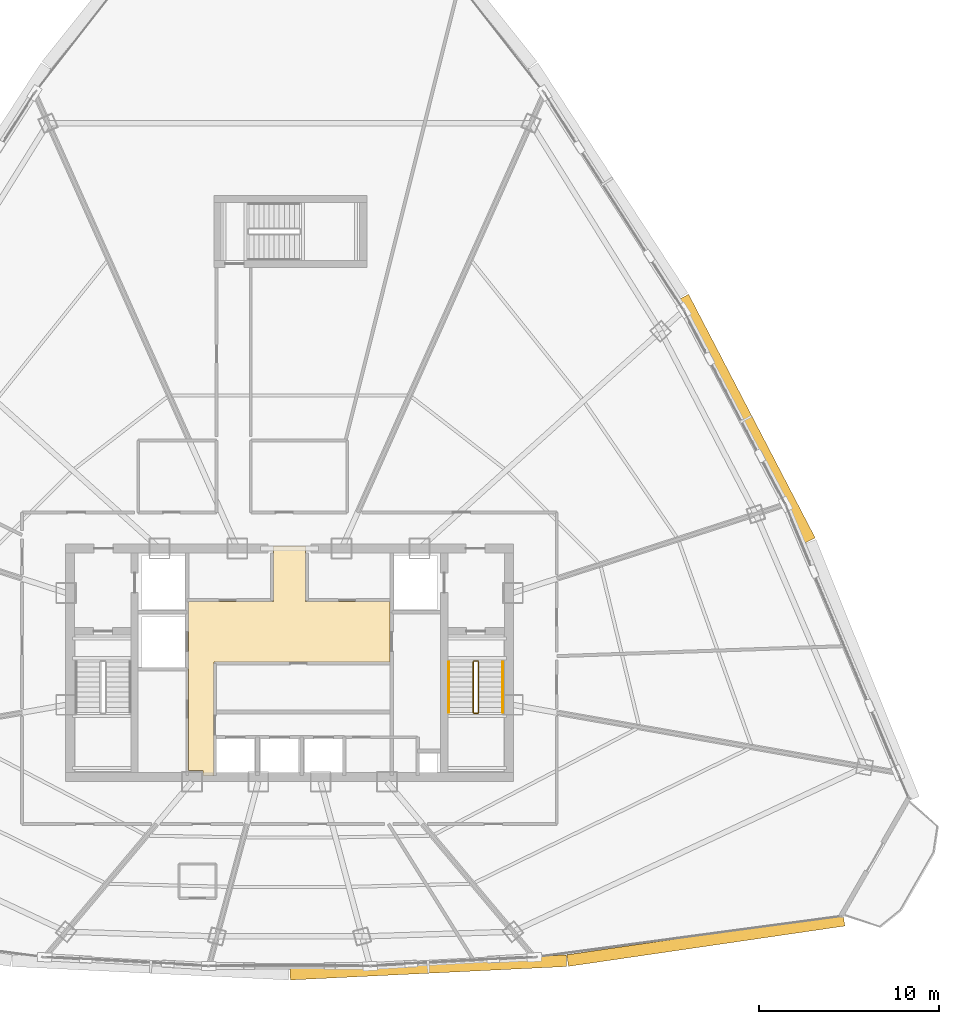
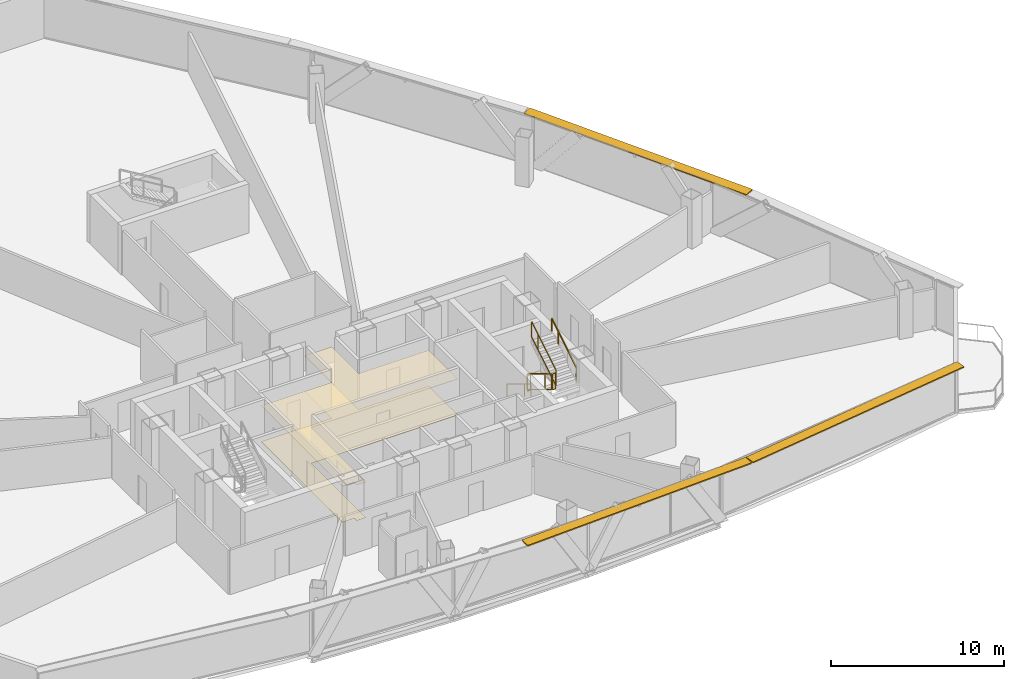
# One storey, part 35 of 37: 6 railings, 3 shading devices, 2 coverings.
"""IFC4 building model written with IfcOpenShell, lengths in metres."""

from ifc_helpers import new_model, si_unit, direction, frame, origin, origin_2d, place, context, subcontext, project, spatial, polyline, rectangle, outline, extrude, source, transform, mapped, material, layer, layer_set, type_object, element, save


model = new_model("IFC4")

# Units and contexts
model_context = context("Model", 3, precision=1e-05, world=origin(), true_north=direction((0.0, 1.0)))
body_context = subcontext(model_context, "Body", "Model", "MODEL_VIEW")
ifc_project = project(units=[si_unit("LENGTHUNIT", "METRE"), si_unit("AREAUNIT", "SQUARE_METRE"), si_unit("VOLUMEUNIT", "CUBIC_METRE"), si_unit("PLANEANGLEUNIT", "RADIAN"), si_unit("MASSUNIT", "GRAM", prefix="KILO"), si_unit("THERMODYNAMICTEMPERATUREUNIT", "KELVIN"), si_unit("POWERUNIT", "WATT")], contexts=[model_context])

# Site, building, storey
site_placement = place(None, origin())
site = spatial("IfcSite", under=ifc_project, at=site_placement, CompositionType="ELEMENT")
building_placement = place(site_placement, origin())
building = spatial("IfcBuilding", under=site, at=building_placement, Name="Yunzhuo Pagoda Commons", CompositionType="ELEMENT")
storey_placement = place(building_placement, frame((0.0, 0.0, 255.719970703125)))
storey = spatial("IfcBuildingStorey", under=building, at=storey_placement, Name="L64", CompositionType="ELEMENT", Elevation=255.719970703125)

# Coverings
ifc_material_1 = material(Name="Perforated gypsum acoustic ceiling tile")
ifc_layer_1 = layer(ifc_material_1, 0.030029296875)
ifc_layer_set_1 = layer_set([ifc_layer_1], Name="Perforated gypsum acoustic ceiling tile")
covering_type_1 = type_object("IfcCoveringType", Name="COV-CL2 Ceiling 30", PredefinedType="CEILING", material=ifc_layer_set_1)
covering_1_placement = place(storey_placement, frame((0.0, 0.0, 2.52001953125)))
element("IfcCovering", 1, at=covering_1_placement, inside=storey, type_object=covering_type_1, Name="L64 lift lobby acoustic ceiling", PredefinedType="CEILING", context=body_context, shape_type="SweptSolid", body=[
    extrude(outline(polyline([(43.207763671875, 27.85009765625), (43.201904296875, 27.864013671875), (43.187744140625, 27.8701171875), (42.39990234375, 27.8701171875), (42.39990234375, 33.89990234375), (42.39990234375, 37.25), (47.10009765625, 37.25), (47.10009765625, 40.35009765625), (48.89990234375, 40.35009765625), (48.89990234375, 37.25), (53.580078125, 37.25), (53.580078125, 33.89990234375), (43.820068359375, 33.89990234375), (43.820068359375, 27.60009765625), (43.207763671875, 27.60009765625), (43.207763671875, 27.85009765625)])), origin(), (0.0, 0.0, 1.0), 0.030029296875),
])
ifc_material_2 = material(Name="Resilient acoustic studio flooring")
ifc_layer_2 = layer(ifc_material_2, 0.01806640625)
ifc_layer_set_2 = layer_set([ifc_layer_2], Name="Resilient acoustic studio flooring")
covering_type_2 = type_object("IfcCoveringType", Name="COV-FL3 Flooring 18", PredefinedType="FLOORING", material=ifc_layer_set_2)
covering_2_placement = place(storey_placement, origin())
element("IfcCovering", 2, at=covering_2_placement, inside=storey, type_object=covering_type_2, Name="L64 lift lobby flooring", PredefinedType="FLOORING", context=body_context, shape_type="SweptSolid", body=[
    extrude(outline(polyline([(43.207763671875, 27.85009765625), (43.201904296875, 27.864013671875), (43.187744140625, 27.8701171875), (42.39990234375, 27.8701171875), (42.39990234375, 33.89990234375), (42.39990234375, 37.25), (47.10009765625, 37.25), (47.10009765625, 40.35009765625), (48.89990234375, 40.35009765625), (48.89990234375, 37.25), (53.580078125, 37.25), (53.580078125, 33.89990234375), (43.820068359375, 33.89990234375), (43.820068359375, 27.60009765625), (43.207763671875, 27.60009765625), (43.207763671875, 27.85009765625)])), origin(), (0.0, 0.0, 1.0), 0.01806640625),
])

# Railings
ifc_material_3 = material(Name="Anodized aluminium 6063-T6", Category="aluminium")
railing_type_1 = type_object("IfcRailingType", Name="GR-ST2 Stair Well Guardrail 1160", PredefinedType="GUARDRAIL", material=ifc_material_3)
railing_1_placement = place(storey_placement, frame((58.199951171875, 33.89990234375, 0.169677734375)))
element("IfcRailing", 3, at=railing_1_placement, inside=storey, type_object=railing_type_1, Name="L64 ST2 stair guard 1", PredefinedType="GUARDRAIL", context=body_context, shape_type="SweptSolid", body=[
    extrude(rectangle(XDim=0.048095703125, YDim=0.048095703125, at=origin_2d()), frame((0.0, 0.0, 1.1259765625), z_axis=(0.0, -0.855406155521, 0.517957825596), x_axis=(1.0, 0.0, 0.0)), (0.0, 0.0, 1.0), 3.27294921875),
    extrude(rectangle(XDim=0.048095703125, YDim=0.048095703125, at=origin_2d()), frame((0.0, 0.0, 0.02392578125), z_axis=(0.0, -0.855406155521, 0.517957825596), x_axis=(1.0, 0.0, 0.0)), (0.0, 0.0, 1.0), 3.27294921875),
    extrude(rectangle(XDim=0.0419921875, YDim=0.0419921875, at=origin_2d()), origin(), (0.0, 0.0, 1.0), 1.101806640625),
    extrude(rectangle(XDim=0.0419921875, YDim=0.0419921875, at=origin_2d()), frame((0.0, -2.052978515625, 1.2431640625)), (0.0, 0.0, 1.0), 1.101806640625),
    extrude(rectangle(XDim=0.0419921875, YDim=0.0419921875, at=origin_2d()), frame((0.0, -2.7998046875, 1.6953125)), (0.0, 0.0, 1.0), 1.101806640625),
])
railing_2_placement = place(storey_placement, frame((58.25, 31.050048828125, 1.864990234375)))
element("IfcRailing", 4, at=railing_2_placement, inside=storey, type_object=railing_type_1, Name="L64 ST2 stair guard 2", PredefinedType="GUARDRAIL", context=body_context, shape_type="SweptSolid", body=[
    extrude(rectangle(XDim=0.048095703125, YDim=0.048095703125, at=origin_2d()), frame((0.0, 0.0, 1.1259765625), z_axis=(1.0, 0.0, 0.0), x_axis=(0.0, 1.0, 0.0)), (0.0, 0.0, 1.0), 0.199951171875),
    extrude(rectangle(XDim=0.048095703125, YDim=0.048095703125, at=origin_2d()), frame((0.0, 0.0, 0.02392578125), z_axis=(1.0, 0.0, 0.0), x_axis=(0.0, 1.0, 0.0)), (0.0, 0.0, 1.0), 0.199951171875),
    extrude(rectangle(XDim=0.0419921875, YDim=0.0419921875, at=origin_2d()), origin(), (0.0, 0.0, 1.0), 1.101806640625),
    extrude(rectangle(XDim=0.0419921875, YDim=0.0419921875, at=origin_2d()), frame((0.199951171875, 0.0, 0.0)), (0.0, 0.0, 1.0), 1.101806640625),
])
railing_3_placement = place(storey_placement, frame((58.5, 31.10009765625, 2.03466796875)))
element("IfcRailing", 5, at=railing_3_placement, inside=storey, type_object=railing_type_1, Name="L64 ST2 stair guard 3", PredefinedType="GUARDRAIL", context=body_context, shape_type="SweptSolid", body=[
    extrude(rectangle(XDim=0.048095703125, YDim=0.048095703125, at=origin_2d()), frame((0.0, 0.0, 1.1259765625), z_axis=(0.0, 0.855406155521, 0.517957825596), x_axis=(-1.0, 0.0, 0.0)), (0.0, 0.0, 1.0), 3.27294921875),
    extrude(rectangle(XDim=0.048095703125, YDim=0.048095703125, at=origin_2d()), frame((0.0, 0.0, 0.02392578125), z_axis=(0.0, 0.855406155521, 0.517957825596), x_axis=(-1.0, 0.0, 0.0)), (0.0, 0.0, 1.0), 3.27294921875),
    extrude(rectangle(XDim=0.0419921875, YDim=0.0419921875, at=origin_2d()), origin(), (0.0, 0.0, 1.0), 1.101806640625),
    extrude(rectangle(XDim=0.0419921875, YDim=0.0419921875, at=origin_2d()), frame((0.0, 2.052978515625, 1.2431640625)), (0.0, 0.0, 1.0), 1.101806640625),
    extrude(rectangle(XDim=0.0419921875, YDim=0.0419921875, at=origin_2d()), frame((0.0, 2.7998046875, 1.6953125)), (0.0, 0.0, 1.0), 1.101806640625),
])
railing_4_placement = place(storey_placement, frame((58.25, 33.949951171875, 0.0)))
element("IfcRailing", 6, at=railing_4_placement, inside=storey, type_object=railing_type_1, Name="L64 ST2 stair guard 4", PredefinedType="GUARDRAIL", context=body_context, shape_type="SweptSolid", body=[
    extrude(rectangle(XDim=0.048095703125, YDim=0.048095703125, at=origin_2d()), frame((0.0, 0.0, 1.1259765625), z_axis=(1.0, 0.0, 0.0), x_axis=(0.0, 1.0, 0.0)), (0.0, 0.0, 1.0), 0.199951171875),
    extrude(rectangle(XDim=0.048095703125, YDim=0.048095703125, at=origin_2d()), frame((0.0, 0.0, 0.02392578125), z_axis=(1.0, 0.0, 0.0), x_axis=(0.0, 1.0, 0.0)), (0.0, 0.0, 1.0), 0.199951171875),
    extrude(rectangle(XDim=0.0419921875, YDim=0.0419921875, at=origin_2d()), origin(), (0.0, 0.0, 1.0), 1.101806640625),
    extrude(rectangle(XDim=0.0419921875, YDim=0.0419921875, at=origin_2d()), frame((0.199951171875, 0.0, 0.0)), (0.0, 0.0, 1.0), 1.101806640625),
])
railing_type_2 = type_object("IfcRailingType", Name="HR-ST2 Stair Handrail 900", PredefinedType="HANDRAIL", material=ifc_material_3)
railing_5_placement = place(storey_placement, frame((56.85009765625, 33.89990234375, 0.169677734375)))
element("IfcRailing", 7, at=railing_5_placement, inside=storey, type_object=railing_type_2, Name="L64 ST2 stair handrail 1", PredefinedType="HANDRAIL", context=body_context, shape_type="SweptSolid", body=[
    extrude(rectangle(XDim=0.048095703125, YDim=0.048095703125, at=origin_2d()), frame((0.0, 0.0, 0.8759765625), z_axis=(0.0, -0.855406155521, 0.517957825596), x_axis=(1.0, 0.0, 0.0)), (0.0, 0.0, 1.0), 3.27294921875),
    extrude(rectangle(XDim=0.0419921875, YDim=0.0419921875, at=origin_2d()), origin(), (0.0, 0.0, 1.0), 0.851806640625),
    extrude(rectangle(XDim=0.0419921875, YDim=0.0419921875, at=origin_2d()), frame((0.0, -2.052978515625, 1.2431640625)), (0.0, 0.0, 1.0), 0.851806640625),
    extrude(rectangle(XDim=0.0419921875, YDim=0.0419921875, at=origin_2d()), frame((0.0, -2.7998046875, 1.6953125)), (0.0, 0.0, 1.0), 0.851806640625),
])
railing_6_placement = place(storey_placement, frame((59.85009765625, 31.10009765625, 2.03466796875)))
element("IfcRailing", 8, at=railing_6_placement, inside=storey, type_object=railing_type_2, Name="L64 ST2 stair handrail 2", PredefinedType="HANDRAIL", context=body_context, shape_type="SweptSolid", body=[
    extrude(rectangle(XDim=0.048095703125, YDim=0.048095703125, at=origin_2d()), frame((0.0, 0.0, 0.8759765625), z_axis=(0.0, 0.855406155521, 0.517957825596), x_axis=(-1.0, 0.0, 0.0)), (0.0, 0.0, 1.0), 3.27294921875),
    extrude(rectangle(XDim=0.0419921875, YDim=0.0419921875, at=origin_2d()), origin(), (0.0, 0.0, 1.0), 0.851806640625),
    extrude(rectangle(XDim=0.0419921875, YDim=0.0419921875, at=origin_2d()), frame((0.0, 2.052978515625, 1.2431640625)), (0.0, 0.0, 1.0), 0.851806640625),
    extrude(rectangle(XDim=0.0419921875, YDim=0.0419921875, at=origin_2d()), frame((0.0, 2.7998046875, 1.6953125)), (0.0, 0.0, 1.0), 0.851806640625),
])

# Shading devices
ifc_layer_3 = layer(ifc_material_3, 0.080078125)
ifc_layer_set_3 = layer_set([ifc_layer_3], Name="Anodized aluminium 6063-T6")
shading_device_type = type_object("IfcShadingDeviceType", Name="SH-SUN1 Pagoda Horizontal Sunshade Eave 650", PredefinedType="USERDEFINED", material=ifc_layer_set_3)
shared_shape_1 = source(origin(), body_context, "Body", "SweptSolid", [
    extrude(rectangle(XDim=15.368408203125, YDim=0.64990234375, at=origin_2d()), origin(), (0.0, 0.0, 1.0), 0.080078125),
])
shading_device_1_placement = place(storey_placement, frame((55.706787109375, 16.93310546875, 3.389892578125), z_axis=(0.0, 0.0, 1.0), x_axis=(0.998818043775, 0.04860571396, 0.0)))
element("IfcShadingDevice", 9, at=shading_device_1_placement, inside=storey, type_object=shading_device_type, Name="L64 horizontal pagoda sunshade eave F1.3", ObjectType="SUNSHADE", PredefinedType="USERDEFINED", context=body_context, shape_type="MappedRepresentation", body=[
    mapped(shared_shape_1, transform((0.0, 0.0, 0.0), scale=1.0)),
])
shared_shape_2 = source(origin(), body_context, "Body", "SweptSolid", [
    extrude(rectangle(XDim=15.51318359375, YDim=0.64990234375, at=origin_2d()), origin(), (0.0, 0.0, 1.0), 0.080078125),
])
shading_device_2_placement = place(storey_placement, frame((71.1201171875, 18.43310546875, 3.389892578125), z_axis=(0.0, 0.0, 1.0), x_axis=(0.989510666697, 0.144459823108, 0.0)))
element("IfcShadingDevice", 10, at=shading_device_2_placement, inside=storey, type_object=shading_device_type, Name="L64 horizontal pagoda sunshade eave F1.4", ObjectType="SUNSHADE", PredefinedType="USERDEFINED", context=body_context, shape_type="MappedRepresentation", body=[
    mapped(shared_shape_2, transform((0.0, 0.0, 0.0), scale=1.0)),
])
shared_shape_3 = source(origin(), body_context, "Body", "SweptSolid", [
    extrude(rectangle(XDim=15.242431640625, YDim=0.64990234375, at=origin_2d()), origin(), (0.0, 0.0, 1.0), 0.080078125),
])
shading_device_3_placement = place(storey_placement, frame((73.390869140625, 47.40283203125, 3.389892578125), z_axis=(0.0, 0.0, 1.0), x_axis=(-0.461206683033, 0.88729273384, 0.0)))
element("IfcShadingDevice", 11, at=shading_device_3_placement, inside=storey, type_object=shading_device_type, Name="L64 horizontal pagoda sunshade eave F2.2", ObjectType="SUNSHADE", PredefinedType="USERDEFINED", context=body_context, shape_type="MappedRepresentation", body=[
    mapped(shared_shape_3, transform((0.0, 0.0, 0.0), scale=1.0)),
])

save(model, "model.ifc")
